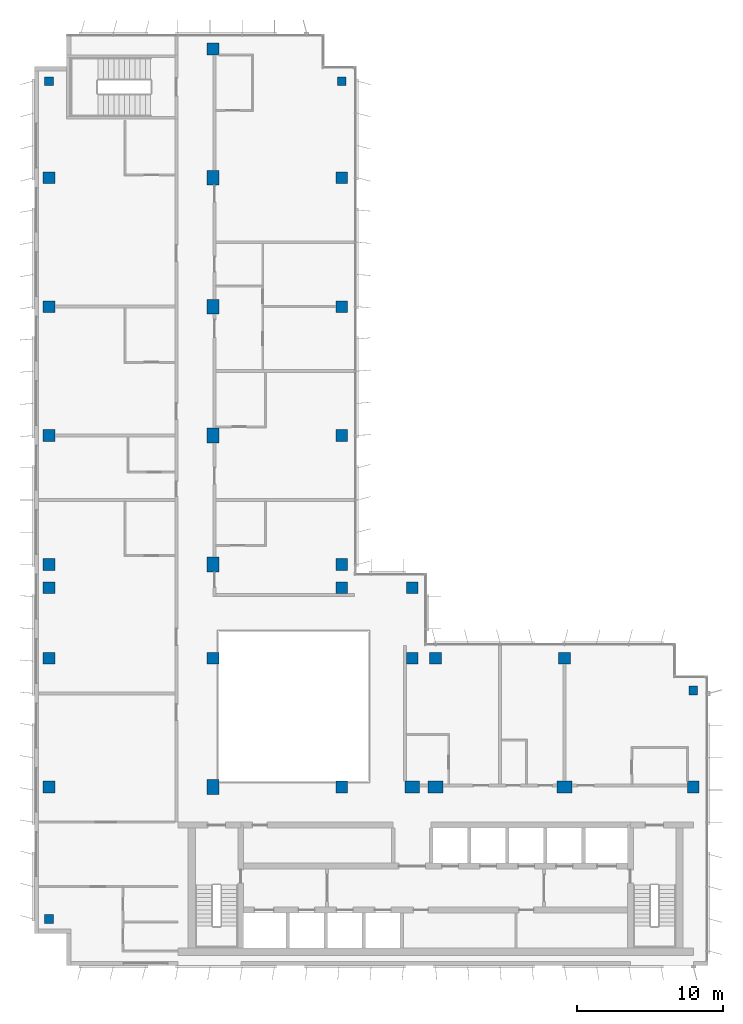
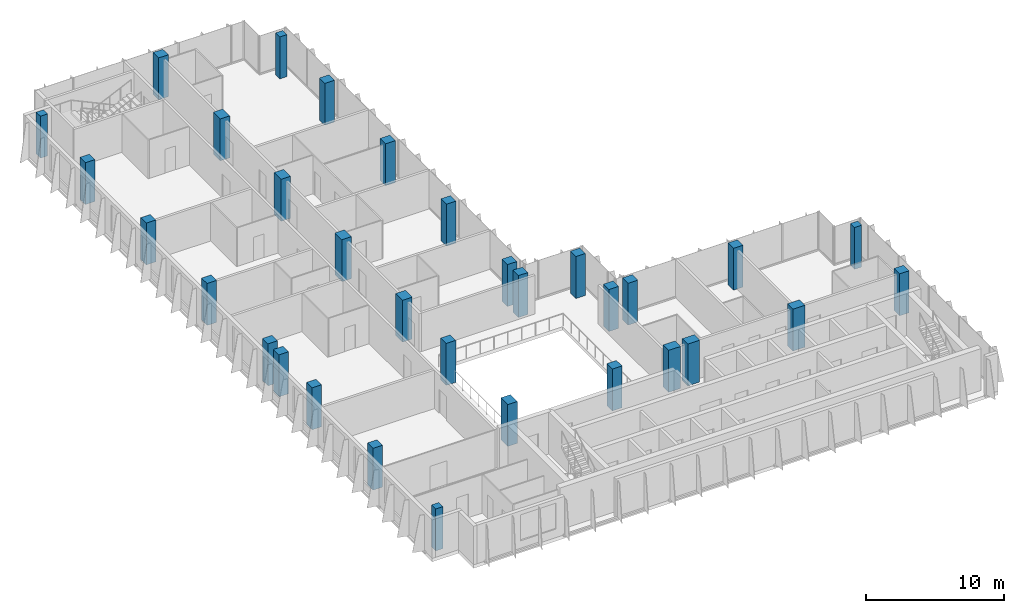
# One storey, part 1 of 15: 32 columns.
"""IFC4 building model written with IfcOpenShell, lengths in metres."""

import ifcopenshell
import ifcopenshell.guid

model = None  # the IFC model being written
_history = None  # IfcOwnerHistory: only IFC2X3 demands one
_inside = {}  # id of a spatial element -> (the spatial element, [elements in it])
_under = {}  # id of a project, library or spatial element -> (it, [spatial elements below it])
_declared = {}  # id of a project -> (the project, [libraries it declares])
_typed = {}  # id of a type object -> (the type object, [elements of that type])
_made_of = {}  # id of a material, layer set ... -> (it, [elements and type objects made of it])


def new_model(schema):
    """Start an empty IFC model of exactly this schema.

    Asked for "IFC4X3", IfcOpenShell would pick the latest addendum, in which some entities
    have other attributes; the version numbers below select the first issue.
    IFC2X3 requires an IfcOwnerHistory on every rooted entity: one is made here for all.
    """
    global model, _history
    if schema == "IFC4X3":
        model = ifcopenshell.file(schema_version=(4, 3, 0, 0))
    else:
        model = ifcopenshell.file(schema=schema)
    _inside.clear()
    _under.clear()
    _declared.clear()
    _typed.clear()
    _made_of.clear()
    _history = None
    if model.schema == "IFC2X3":
        org = make("IfcOrganization", Name="unknown")
        user = make(
            "IfcPersonAndOrganization",
            ThePerson=make("IfcPerson", FamilyName="unknown"),
            TheOrganization=org,
        )
        app = make(
            "IfcApplication",
            ApplicationDeveloper=org,
            Version="unknown",
            ApplicationFullName="unknown",
            ApplicationIdentifier="unknown",
        )
        _history = make(
            "IfcOwnerHistory",
            OwningUser=user,
            OwningApplication=app,
            ChangeAction="ADDED",
            CreationDate=0,
        )
    return model


def make(cls, **values):
    """One entity of the class cls with the attributes given. An attribute that is None is left unset."""
    return model.create_entity(
        cls, **{name: value for name, value in values.items() if value is not None}
    )


def rooted(cls, **values):
    """An entity with a GlobalId (a new one), such as an element, a storey or a relation."""
    return make(cls, GlobalId=ifcopenshell.guid.new(), OwnerHistory=_history, **values)


def si_unit(unit_type, name, prefix=None):
    """IfcSIUnit, for example si_unit("LENGTHUNIT", "METRE", prefix="MILLI")."""
    return make("IfcSIUnit", UnitType=unit_type, Prefix=prefix, Name=name)


def assignment(units):
    """IfcUnitAssignment: the units of a project."""
    return None if units is None else make("IfcUnitAssignment", Units=units)


def point(xyz):
    """IfcCartesianPoint."""
    return None if xyz is None else make("IfcCartesianPoint", Coordinates=xyz)


def direction(xyz):
    """IfcDirection."""
    return None if xyz is None else make("IfcDirection", DirectionRatios=xyz)


def frame(location, z_axis=None, x_axis=None):
    """IfcAxis2Placement3D, a coordinate frame: its origin and axes. An axis left out is left unset."""
    return make(
        "IfcAxis2Placement3D",
        Location=point(location),
        Axis=direction(z_axis),
        RefDirection=direction(x_axis),
    )


def frame_2d(location, x_axis=None):
    """IfcAxis2Placement2D, a coordinate frame in the plane: its origin and x axis."""
    return make(
        "IfcAxis2Placement2D", Location=point(location), RefDirection=direction(x_axis)
    )


def origin():
    """The frame at (0, 0, 0) with its axes left unset."""
    return frame((0.0, 0.0, 0.0))


def origin_2d():
    """The frame at (0, 0) in the plane with its x axis left unset."""
    return frame_2d((0.0, 0.0))


def place(relative_to, where):
    """IfcLocalPlacement: puts the frame where relative to a parent placement (None: the world)."""
    return make(
        "IfcLocalPlacement", PlacementRelTo=relative_to, RelativePlacement=where
    )


def context(
    kind, dimensions, precision=None, world=None, true_north=None, identifier=None
):
    """IfcGeometricRepresentationContext, for example the 3D "Model" context."""
    return make(
        "IfcGeometricRepresentationContext",
        ContextIdentifier=identifier,
        ContextType=kind,
        CoordinateSpaceDimension=dimensions,
        Precision=precision,
        WorldCoordinateSystem=world,
        TrueNorth=true_north,
    )


def subcontext(parent, identifier, kind, view, scale=None):
    """IfcGeometricRepresentationSubContext, for example "Body" below "Model"."""
    return make(
        "IfcGeometricRepresentationSubContext",
        ContextIdentifier=identifier,
        ContextType=kind,
        ParentContext=parent,
        TargetScale=scale,
        TargetView=view,
    )


def project(units=None, contexts=None):
    """IfcProject with its units and contexts."""
    return rooted(
        "IfcProject",
        Name="project",
        RepresentationContexts=contexts,
        UnitsInContext=assignment(units),
    )


def spatial(cls, under=None, at=None, **own):
    """A site, building, storey or space (cls), placed at a placement, below another one or the project."""
    s = rooted(cls, ObjectPlacement=at, **own)
    if under is not None:
        _under.setdefault(under.id(), (under, []))[1].append(s)
    return s


def profile(cls, at=None, kind="AREA", **sizes):
    """A parametric profile (cls). Its sizes go by their IFC names, for example OverallWidth=200.0."""
    return make(cls, ProfileType=kind, Position=at, **sizes)


def rectangle(**sizes):
    """IfcRectangleProfileDef."""
    return profile("IfcRectangleProfileDef", **sizes)


def extrude(swept, where, along, depth):
    """IfcExtrudedAreaSolid: the profile swept, set in the frame where, extruded along a direction by depth."""
    return make(
        "IfcExtrudedAreaSolid",
        SweptArea=swept,
        Position=where,
        ExtrudedDirection=direction(along),
        Depth=depth,
    )


def shape(context_of_items, identifier, shape_type, items):
    """IfcShapeRepresentation: the items that make up one representation, for example the "Body"."""
    return make(
        "IfcShapeRepresentation",
        ContextOfItems=context_of_items,
        RepresentationIdentifier=identifier,
        RepresentationType=shape_type,
        Items=items,
    )


def material(Name=None, Category=None):
    """IfcMaterial."""
    return make("IfcMaterial", Name=Name, Category=Category)


def material_profile(
    of_material, cross_section, Name=None, Category=None, Priority=None
):
    """IfcMaterialProfile: a cross section and its material."""
    return make(
        "IfcMaterialProfile",
        Name=Name,
        Material=of_material,
        Profile=cross_section,
        Priority=Priority,
        Category=Category,
    )


def profile_set(profiles, Name=None, composite=None):
    """IfcMaterialProfileSet."""
    return make(
        "IfcMaterialProfileSet",
        Name=Name,
        MaterialProfiles=profiles,
        CompositeProfile=composite,
    )


def made_of(thing, what):
    """Note that an element or type object is made of a material, layer set ...; save() writes the relation."""
    if what is not None:
        _made_of.setdefault(what.id(), (what, []))[1].append(thing)
    return thing


def type_object(cls, material=None, **own):
    """A type object (cls), such as IfcWallType, which elements share."""
    return made_of(rooted(cls, **own), material)


def element(
    cls,
    number,
    at=None,
    inside=None,
    cuts=None,
    type_object=None,
    material=None,
    context=None,
    identifier="Body",
    shape_type=None,
    held_by="IfcProductDefinitionShape",
    body=None,
    shapes=None,
    **own,
):
    """One element of the class cls, such as IfcWall. Its Tag is "e" and its number.

    at: its placement. inside: the storey or other place that contains it. cuts: it is an
    opening in that element (IfcRelVoidsElement). A single representation is given by context,
    identifier, shape_type and body (its items); several are given by shapes. held_by: the class
    of the entity that holds the representations. save() writes the other relations.
    """
    e = rooted(cls, Tag="e%d" % number, ObjectPlacement=at, **own)
    if body is not None:
        shapes = [shape(context, identifier, shape_type, body)]
    if shapes is not None:
        e.Representation = make(held_by, Representations=shapes)
    if inside is not None:
        _inside.setdefault(inside.id(), (inside, []))[1].append(e)
    if cuts is not None:
        rooted(
            "IfcRelVoidsElement", RelatingBuildingElement=cuts, RelatedOpeningElement=e
        )
    if type_object is not None:
        _typed.setdefault(type_object.id(), (type_object, []))[1].append(e)
    return made_of(e, material)


def aggregate(whole, parts):
    """IfcRelAggregates: a whole, such as a stair, and the parts it consists of."""
    return rooted("IfcRelAggregates", RelatingObject=whole, RelatedObjects=parts)


def save(model, path):
    """Write the relations noted so far, then the file.

    IfcRelAggregates (storeys below a building ...), IfcRelContainedInSpatialStructure (elements
    in a storey), IfcRelDefinesByType, IfcRelAssociatesMaterial and IfcRelDeclares: one each for
    every whole, place, type object, material and project.
    """
    for whole, parts in _under.values():
        aggregate(whole, parts)
    for where, things in _inside.values():
        rooted(
            "IfcRelContainedInSpatialStructure",
            RelatedElements=things,
            RelatingStructure=where,
        )
    for kind, things in _typed.values():
        rooted("IfcRelDefinesByType", RelatedObjects=things, RelatingType=kind)
    for what, things in _made_of.values():
        rooted("IfcRelAssociatesMaterial", RelatedObjects=things, RelatingMaterial=what)
    for by, libraries in _declared.values():
        rooted("IfcRelDeclares", RelatingContext=by, RelatedDefinitions=libraries)
    model.write(path)


model = new_model("IFC4")

# Units and contexts
model_context = context("Model", 3, precision=1e-05, world=origin(), true_north=direction((0.0, 1.0)))
body_context = subcontext(model_context, "Body", "Model", "MODEL_VIEW")
ifc_project = project(units=[si_unit("LENGTHUNIT", "METRE"), si_unit("AREAUNIT", "SQUARE_METRE"), si_unit("VOLUMEUNIT", "CUBIC_METRE"), si_unit("PLANEANGLEUNIT", "RADIAN"), si_unit("MASSUNIT", "GRAM", prefix="KILO")], contexts=[model_context])

# Site, building, storey
site_placement = place(None, origin())
site = spatial("IfcSite", under=ifc_project, at=site_placement, CompositionType="ELEMENT")
building_placement = place(site_placement, origin())
building = spatial("IfcBuilding", under=site, at=building_placement, Name="Kemantara Hotel Tower", CompositionType="ELEMENT")
storey_placement = place(building_placement, frame((0.0, 0.0, 264.800048828125)))
storey = spatial("IfcBuildingStorey", under=building, at=storey_placement, Name="L66", CompositionType="ELEMENT", Elevation=264.800048828125)

# Columns
ifc_material = material(Name="Concrete fc 50 MPa", Category="concrete")
ifc_material_profile_1 = material_profile(ifc_material, rectangle(XDim=1.0, YDim=0.800048828125, at=origin_2d()), Name="RC 1000X800")
ifc_profile_set_1 = profile_set([ifc_material_profile_1], Name="Concrete fc 50 MPa")
column_type_1 = type_object("IfcColumnType", Name="RC COLUMN 1000X800 FC50", PredefinedType="COLUMN", material=ifc_profile_set_1)
for number, where, z_axis, x_axis, name in (
    (1, (12.199951171875, 12.199951171875, 0.0), (0.0, 0.0, 1.0), (0.0, 1.0, 0.0), "COLUMN 2A/BA L66"),
    (2, (12.199951171875, 27.39990234375, 0.0), (0.0, 0.0, 1.0), (0.0, 1.0, 0.0), "COLUMN 2A/D L66"),
    (3, (12.199951171875, 36.199951171875, 0.0), (0.0, 0.0, 1.0), (0.0, 1.0, 0.0), "COLUMN 2A/E L66"),
    (4, (12.199951171875, 45.0, 0.0), (0.0, 0.0, 1.0), (0.0, 1.0, 0.0), "COLUMN 2A/F L66"),
    (5, (12.199951171875, 53.800048828125, 0.0), (0.0, 0.0, 1.0), (0.0, 1.0, 0.0), "COLUMN 2A/G L66"),
    (6, (25.800048828125, 12.199951171875, 0.0), (0.0, 0.0, 1.0), (1.0, 0.0, 0.0), "COLUMN 3A/BA L66"),
    (7, (27.39990234375, 12.199951171875, 0.0), (0.0, 0.0, 1.0), (1.0, 0.0, 0.0), "COLUMN 4/BA L66"),
    (8, (36.199951171875, 12.199951171875, 0.0), (0.0, 0.0, 1.0), (1.0, 0.0, 0.0), "COLUMN 5/BA L66"),
):
    element("IfcColumn", number, at=place(storey_placement, frame(where, z_axis=z_axis, x_axis=x_axis)), inside=storey, type_object=column_type_1, Name=name, PredefinedType="COLUMN", context=body_context, shape_type="SweptSolid", body=[
        extrude(rectangle(XDim=1.0, YDim=0.800048828125, at=origin_2d()), origin(), (0.0, 0.0, 1.0), 3.699951171875),
    ])
ifc_material_profile_2 = material_profile(ifc_material, rectangle(XDim=0.60009765625, YDim=0.60009765625, at=origin_2d()), Name="RC 600X600")
ifc_profile_set_2 = profile_set([ifc_material_profile_2], Name="Concrete fc 50 MPa")
column_type_2 = type_object("IfcColumnType", Name="RC COLUMN 600X600 FC50", PredefinedType="COLUMN", material=ifc_profile_set_2)
for number, where, z_axis, x_axis, name in (
    (9, (1.0, 3.199951171875, 0.0), (0.0, 0.0, 1.0), (1.0, 0.0, 0.0), "COLUMN notch corner L66"),
    (10, (1.0, 60.39990234375, 0.0), (0.0, 0.0, 1.0), (1.0, 0.0, 0.0), "COLUMN notch corner L66"),
    (11, (21.0, 60.39990234375, 0.0), (0.0, 0.0, 1.0), (1.0, 0.0, 0.0), "COLUMN notch corner L66"),
    (12, (45.0, 18.800048828125, 0.0), (0.0, 0.0, 1.0), (1.0, 0.0, 0.0), "COLUMN notch corner L66"),
):
    element("IfcColumn", number, at=place(storey_placement, frame(where, z_axis=z_axis, x_axis=x_axis)), inside=storey, type_object=column_type_2, Name=name, PredefinedType="COLUMN", context=body_context, shape_type="SweptSolid", body=[
        extrude(rectangle(XDim=0.60009765625, YDim=0.60009765625, at=origin_2d()), origin(), (0.0, 0.0, 1.0), 3.699951171875),
    ])
ifc_material_profile_3 = material_profile(ifc_material, rectangle(XDim=0.800048828125, YDim=0.800048828125, at=origin_2d()), Name="RC 800X800")
ifc_profile_set_3 = profile_set([ifc_material_profile_3], Name="Concrete fc 50 MPa")
column_type_3 = type_object("IfcColumnType", Name="RC COLUMN 800X800 FC50", PredefinedType="COLUMN", material=ifc_profile_set_3)
for number, where, z_axis, x_axis, name in (
    (13, (1.0, 12.199951171875, 0.0), (0.0, 0.0, 1.0), (1.0, 0.0, 0.0), "COLUMN 1/BA L66"),
    (14, (1.0, 21.0, 0.0), (0.0, 0.0, 1.0), (1.0, 0.0, 0.0), "COLUMN 1/C L66"),
    (15, (1.0, 25.800048828125, 0.0), (0.0, 0.0, 1.0), (1.0, 0.0, 0.0), "COLUMN 1/CA L66"),
    (16, (1.0, 27.39990234375, 0.0), (0.0, 0.0, 1.0), (1.0, 0.0, 0.0), "COLUMN 1/D L66"),
    (17, (1.0, 36.199951171875, 0.0), (0.0, 0.0, 1.0), (1.0, 0.0, 0.0), "COLUMN 1/E L66"),
    (18, (1.0, 45.0, 0.0), (0.0, 0.0, 1.0), (1.0, 0.0, 0.0), "COLUMN 1/F L66"),
    (19, (1.0, 53.800048828125, 0.0), (0.0, 0.0, 1.0), (1.0, 0.0, 0.0), "COLUMN 1/G L66"),
    (20, (12.199951171875, 21.0, 0.0), (0.0, 0.0, 1.0), (1.0, 0.0, 0.0), "COLUMN 2A/C L66"),
    (21, (12.199951171875, 62.60009765625, 0.0), (0.0, 0.0, 1.0), (1.0, 0.0, 0.0), "COLUMN 2A/H L66"),
    (22, (21.0, 12.199951171875, 0.0), (0.0, 0.0, 1.0), (1.0, 0.0, 0.0), "COLUMN 3/BA L66"),
    (23, (21.0, 25.800048828125, 0.0), (0.0, 0.0, 1.0), (1.0, 0.0, 0.0), "COLUMN 3/CA L66"),
    (24, (21.0, 27.39990234375, 0.0), (0.0, 0.0, 1.0), (1.0, 0.0, 0.0), "COLUMN 3/D L66"),
    (25, (21.0, 36.199951171875, 0.0), (0.0, 0.0, 1.0), (1.0, 0.0, 0.0), "COLUMN 3/E L66"),
    (26, (21.0, 45.0, 0.0), (0.0, 0.0, 1.0), (1.0, 0.0, 0.0), "COLUMN 3/F L66"),
    (27, (21.0, 53.800048828125, 0.0), (0.0, 0.0, 1.0), (1.0, 0.0, 0.0), "COLUMN 3/G L66"),
    (28, (25.800048828125, 21.0, 0.0), (0.0, 0.0, 1.0), (1.0, 0.0, 0.0), "COLUMN 3A/C L66"),
    (29, (25.800048828125, 25.800048828125, 0.0), (0.0, 0.0, 1.0), (1.0, 0.0, 0.0), "COLUMN 3A/CA L66"),
    (30, (27.39990234375, 21.0, 0.0), (0.0, 0.0, 1.0), (1.0, 0.0, 0.0), "COLUMN 4/C L66"),
    (31, (36.199951171875, 21.0, 0.0), (0.0, 0.0, 1.0), (1.0, 0.0, 0.0), "COLUMN 5/C L66"),
    (32, (45.0, 12.199951171875, 0.0), (0.0, 0.0, 1.0), (1.0, 0.0, 0.0), "COLUMN 6/BA L66"),
):
    element("IfcColumn", number, at=place(storey_placement, frame(where, z_axis=z_axis, x_axis=x_axis)), inside=storey, type_object=column_type_3, Name=name, PredefinedType="COLUMN", context=body_context, shape_type="SweptSolid", body=[
        extrude(rectangle(XDim=0.800048828125, YDim=0.800048828125, at=origin_2d()), origin(), (0.0, 0.0, 1.0), 3.699951171875),
    ])

save(model, "model.ifc")
